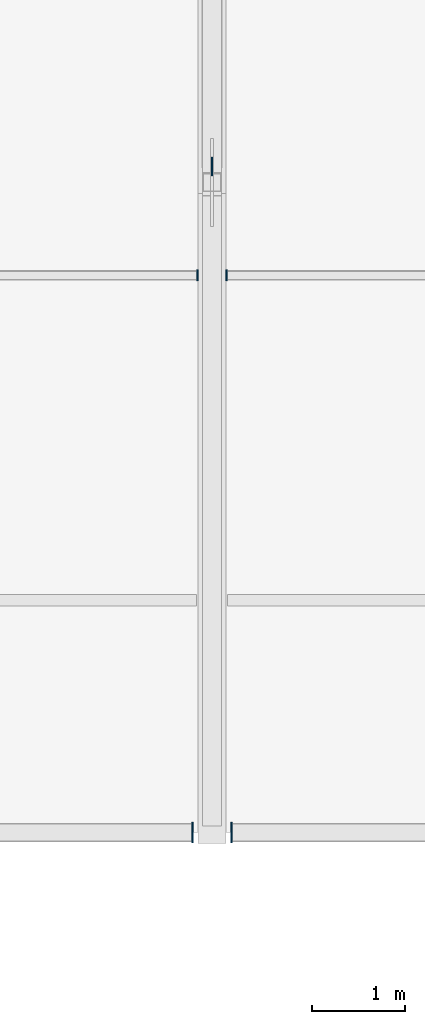
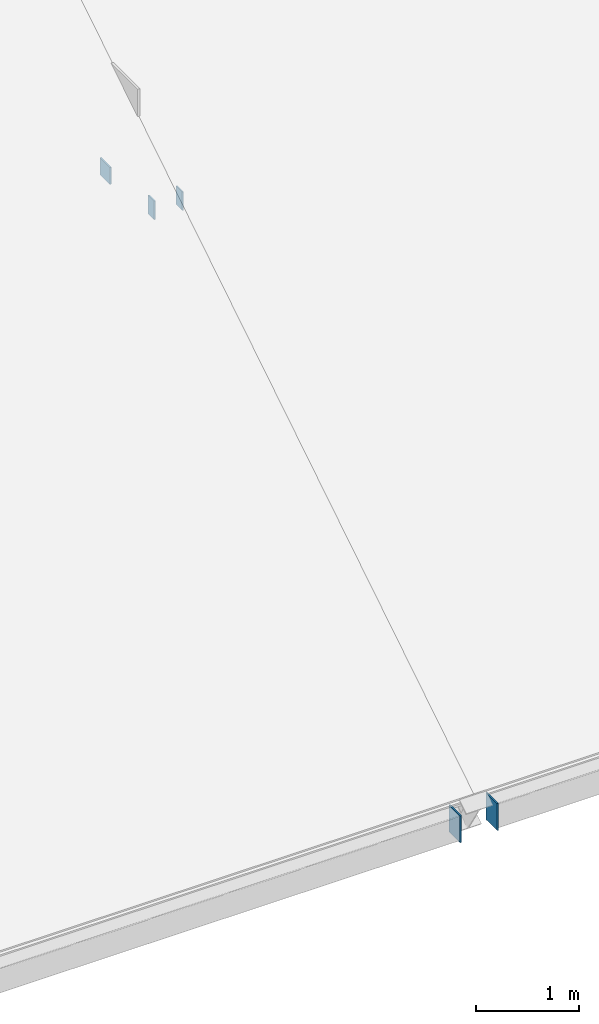
# One storey, part 34 of 66: 5 plates.
"""IFC4 building model written with IfcOpenShell, lengths in metres."""

from ifc_helpers import new_model, si_unit, direction, frame, origin, origin_2d, place, context, subcontext, project, spatial, rectangle, extrude, material, layer, layer_set, type_object, element, save


model = new_model("IFC4")

# Units and contexts
model_context = context("Model", 3, precision=1e-05, world=origin(), true_north=direction((0.0, 1.0)))
body_context = subcontext(model_context, "Body", "Model", "MODEL_VIEW")
ifc_project = project(units=[si_unit("LENGTHUNIT", "METRE"), si_unit("AREAUNIT", "SQUARE_METRE"), si_unit("VOLUMEUNIT", "CUBIC_METRE"), si_unit("PLANEANGLEUNIT", "RADIAN"), si_unit("MASSUNIT", "GRAM", prefix="KILO")], contexts=[model_context])

# Site, building, storey
site_placement = place(None, origin())
site = spatial("IfcSite", under=ifc_project, at=site_placement, CompositionType="ELEMENT")
building_placement = place(site_placement, origin())
building = spatial("IfcBuilding", under=site, at=building_placement, Name="Yeouljin Market Hall", CompositionType="ELEMENT")
storey_placement = place(building_placement, frame((0.0, 0.0, 23.39990234375)))
storey = spatial("IfcBuildingStorey", under=building, at=storey_placement, Name="RF", CompositionType="ELEMENT", Elevation=23.39990234375)

# Plates
ifc_material_1 = material(Name="Steel SM355", Category="steel")
ifc_layer_1 = layer(ifc_material_1, 0.01611328125)
ifc_layer_set_1 = layer_set([ifc_layer_1], Name="Steel SM355")
plate_type_1 = type_object("IfcPlateType", Name="CapPlate_200x200x16", PredefinedType="SHEET", material=ifc_layer_set_1)
plate_placement = place(storey_placement, frame((54.60009765625, 43.172119140625, -9.04052734375), z_axis=(0.0, 0.0, 1.0), x_axis=(0.0, 1.0, 0.0)))
element("IfcPlate", 1, at=plate_placement, inside=storey, type_object=plate_type_1, Name="Hollow web end-cap plate 0009", PredefinedType="SHEET", context=body_context, shape_type="SweptSolid", body=[
    extrude(rectangle(XDim=0.199951171875, YDim=0.01611328125, at=origin_2d()), origin(), (0.0, 0.0, 1.0), 0.199951171875),
])
ifc_material_2 = material(Name="Steel SM355", Category="steel")
ifc_layer_2 = layer(ifc_material_2, 0.01611328125)
ifc_layer_set_2 = layer_set([ifc_layer_2], Name="Steel SM355")
plate_type_2 = type_object("IfcPlateType", Name="CapPlate_220x120x16", PredefinedType="SHEET", material=ifc_layer_set_2)
for number, where, z_axis, x_axis, name in (
    (2, (54.44189453125, 42.0, -8.71826171875), (0.0, 0.0, 1.0), (0.0, 1.0, 0.0), "Purlin end-cap plate 0086"),
    (3, (54.758056640625, 42.0, -8.71826171875), (0.0, 0.0, 1.0), (0.0, 1.0, 0.0), "Purlin end-cap plate 0097"),
):
    element("IfcPlate", number, at=place(storey_placement, frame(where, z_axis=z_axis, x_axis=x_axis)), inside=storey, type_object=plate_type_2, Name=name, PredefinedType="SHEET", context=body_context, shape_type="SweptSolid", body=[
        extrude(rectangle(XDim=0.1201171875, YDim=0.01611328125, at=origin_2d()), origin(), (0.0, 0.0, 1.0), 0.219970703125),
    ])
ifc_material_3 = material(Name="Steel SM355", Category="steel")
ifc_layer_3 = layer(ifc_material_3, 0.01611328125)
ifc_layer_set_3 = layer_set([ifc_layer_3], Name="Steel SM355")
plate_type_3 = type_object("IfcPlateType", Name="CapPlate_320x220x16", PredefinedType="SHEET", material=ifc_layer_set_3)
for number, where, z_axis, x_axis, name in (
    (4, (54.39208984375, 36.0, -12.43994140625), (0.0, 0.0, 1.0), (0.0, 1.0, 0.0), "Eaves girder end-cap plate S02-E"),
    (5, (54.80810546875, 36.0, -12.43994140625), (0.0, 0.0, 1.0), (0.0, 1.0, 0.0), "Eaves girder end-cap plate S03-W"),
):
    element("IfcPlate", number, at=place(storey_placement, frame(where, z_axis=z_axis, x_axis=x_axis)), inside=storey, type_object=plate_type_3, Name=name, PredefinedType="SHEET", context=body_context, shape_type="SweptSolid", body=[
        extrude(rectangle(XDim=0.219970703125, YDim=0.01611328125, at=origin_2d()), origin(), (0.0, 0.0, 1.0), 0.320068359375),
    ])

save(model, "model.ifc")
